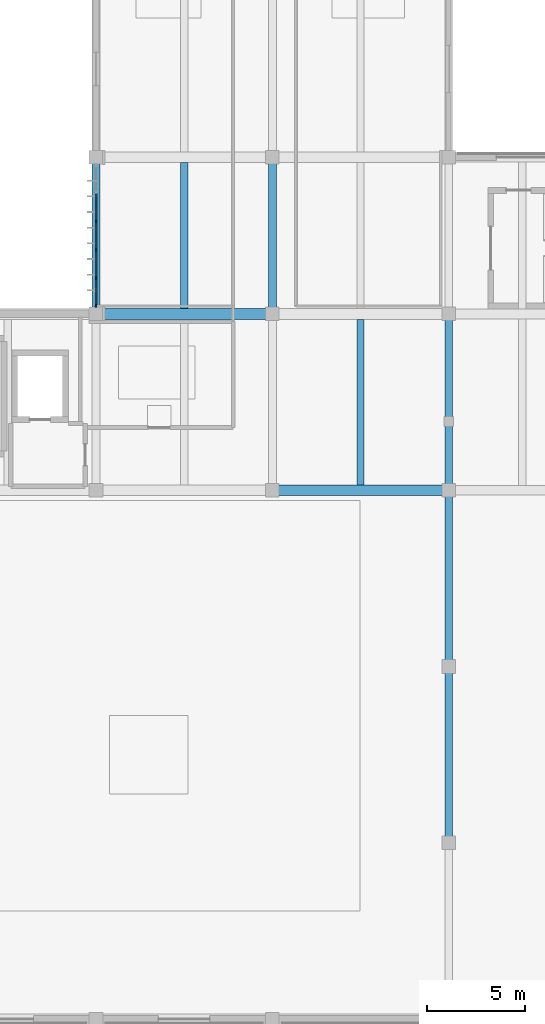
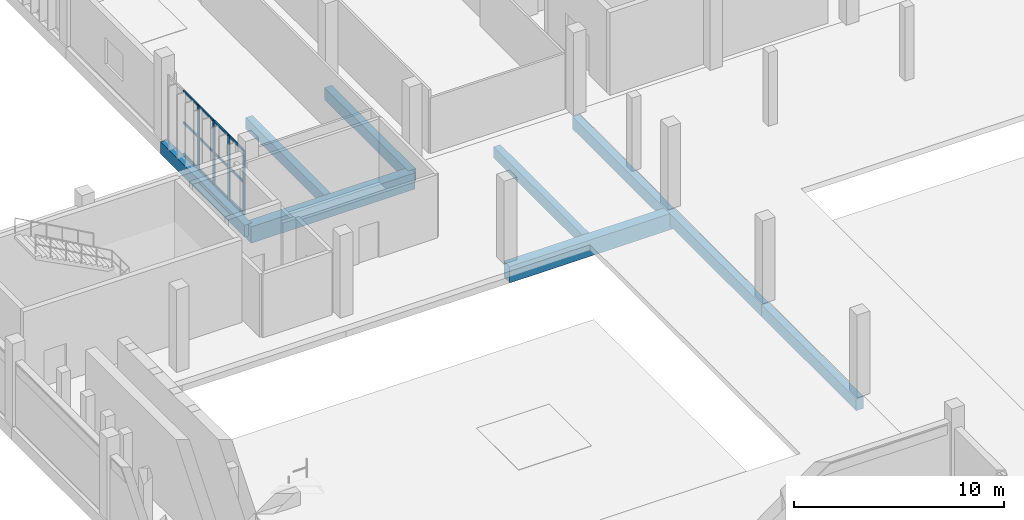
# One storey, part 7 of 72: 16 members, 9 beams, 1 element without a shape of its own.
"""IFC4 building model written with IfcOpenShell, lengths in metres."""

import ifcopenshell
import ifcopenshell.guid

model = None  # the IFC model being written
_history = None  # IfcOwnerHistory: only IFC2X3 demands one
_inside = {}  # id of a spatial element -> (the spatial element, [elements in it])
_under = {}  # id of a project, library or spatial element -> (it, [spatial elements below it])
_declared = {}  # id of a project -> (the project, [libraries it declares])
_typed = {}  # id of a type object -> (the type object, [elements of that type])
_made_of = {}  # id of a material, layer set ... -> (it, [elements and type objects made of it])


def new_model(schema):
    """Start an empty IFC model of exactly this schema.

    Asked for "IFC4X3", IfcOpenShell would pick the latest addendum, in which some entities
    have other attributes; the version numbers below select the first issue.
    IFC2X3 requires an IfcOwnerHistory on every rooted entity: one is made here for all.
    """
    global model, _history
    if schema == "IFC4X3":
        model = ifcopenshell.file(schema_version=(4, 3, 0, 0))
    else:
        model = ifcopenshell.file(schema=schema)
    _inside.clear()
    _under.clear()
    _declared.clear()
    _typed.clear()
    _made_of.clear()
    _history = None
    if model.schema == "IFC2X3":
        org = make("IfcOrganization", Name="unknown")
        user = make(
            "IfcPersonAndOrganization",
            ThePerson=make("IfcPerson", FamilyName="unknown"),
            TheOrganization=org,
        )
        app = make(
            "IfcApplication",
            ApplicationDeveloper=org,
            Version="unknown",
            ApplicationFullName="unknown",
            ApplicationIdentifier="unknown",
        )
        _history = make(
            "IfcOwnerHistory",
            OwningUser=user,
            OwningApplication=app,
            ChangeAction="ADDED",
            CreationDate=0,
        )
    return model


def make(cls, **values):
    """One entity of the class cls with the attributes given. An attribute that is None is left unset."""
    return model.create_entity(
        cls, **{name: value for name, value in values.items() if value is not None}
    )


def rooted(cls, **values):
    """An entity with a GlobalId (a new one), such as an element, a storey or a relation."""
    return make(cls, GlobalId=ifcopenshell.guid.new(), OwnerHistory=_history, **values)


def si_unit(unit_type, name, prefix=None):
    """IfcSIUnit, for example si_unit("LENGTHUNIT", "METRE", prefix="MILLI")."""
    return make("IfcSIUnit", UnitType=unit_type, Prefix=prefix, Name=name)


def assignment(units):
    """IfcUnitAssignment: the units of a project."""
    return None if units is None else make("IfcUnitAssignment", Units=units)


def point(xyz):
    """IfcCartesianPoint."""
    return None if xyz is None else make("IfcCartesianPoint", Coordinates=xyz)


def direction(xyz):
    """IfcDirection."""
    return None if xyz is None else make("IfcDirection", DirectionRatios=xyz)


def frame(location, z_axis=None, x_axis=None):
    """IfcAxis2Placement3D, a coordinate frame: its origin and axes. An axis left out is left unset."""
    return make(
        "IfcAxis2Placement3D",
        Location=point(location),
        Axis=direction(z_axis),
        RefDirection=direction(x_axis),
    )


def frame_2d(location, x_axis=None):
    """IfcAxis2Placement2D, a coordinate frame in the plane: its origin and x axis."""
    return make(
        "IfcAxis2Placement2D", Location=point(location), RefDirection=direction(x_axis)
    )


def origin():
    """The frame at (0, 0, 0) with its axes left unset."""
    return frame((0.0, 0.0, 0.0))


def origin_2d():
    """The frame at (0, 0) in the plane with its x axis left unset."""
    return frame_2d((0.0, 0.0))


def place(relative_to, where):
    """IfcLocalPlacement: puts the frame where relative to a parent placement (None: the world)."""
    return make(
        "IfcLocalPlacement", PlacementRelTo=relative_to, RelativePlacement=where
    )


def context(
    kind, dimensions, precision=None, world=None, true_north=None, identifier=None
):
    """IfcGeometricRepresentationContext, for example the 3D "Model" context."""
    return make(
        "IfcGeometricRepresentationContext",
        ContextIdentifier=identifier,
        ContextType=kind,
        CoordinateSpaceDimension=dimensions,
        Precision=precision,
        WorldCoordinateSystem=world,
        TrueNorth=true_north,
    )


def subcontext(parent, identifier, kind, view, scale=None):
    """IfcGeometricRepresentationSubContext, for example "Body" below "Model"."""
    return make(
        "IfcGeometricRepresentationSubContext",
        ContextIdentifier=identifier,
        ContextType=kind,
        ParentContext=parent,
        TargetScale=scale,
        TargetView=view,
    )


def project(units=None, contexts=None):
    """IfcProject with its units and contexts."""
    return rooted(
        "IfcProject",
        Name="project",
        RepresentationContexts=contexts,
        UnitsInContext=assignment(units),
    )


def spatial(cls, under=None, at=None, **own):
    """A site, building, storey or space (cls), placed at a placement, below another one or the project."""
    s = rooted(cls, ObjectPlacement=at, **own)
    if under is not None:
        _under.setdefault(under.id(), (under, []))[1].append(s)
    return s


def profile(cls, at=None, kind="AREA", **sizes):
    """A parametric profile (cls). Its sizes go by their IFC names, for example OverallWidth=200.0."""
    return make(cls, ProfileType=kind, Position=at, **sizes)


def rectangle(**sizes):
    """IfcRectangleProfileDef."""
    return profile("IfcRectangleProfileDef", **sizes)


def extrude(swept, where, along, depth):
    """IfcExtrudedAreaSolid: the profile swept, set in the frame where, extruded along a direction by depth."""
    return make(
        "IfcExtrudedAreaSolid",
        SweptArea=swept,
        Position=where,
        ExtrudedDirection=direction(along),
        Depth=depth,
    )


def shape(context_of_items, identifier, shape_type, items):
    """IfcShapeRepresentation: the items that make up one representation, for example the "Body"."""
    return make(
        "IfcShapeRepresentation",
        ContextOfItems=context_of_items,
        RepresentationIdentifier=identifier,
        RepresentationType=shape_type,
        Items=items,
    )


def material(Name=None, Category=None):
    """IfcMaterial."""
    return make("IfcMaterial", Name=Name, Category=Category)


def material_profile(
    of_material, cross_section, Name=None, Category=None, Priority=None
):
    """IfcMaterialProfile: a cross section and its material."""
    return make(
        "IfcMaterialProfile",
        Name=Name,
        Material=of_material,
        Profile=cross_section,
        Priority=Priority,
        Category=Category,
    )


def profile_set(profiles, Name=None, composite=None):
    """IfcMaterialProfileSet."""
    return make(
        "IfcMaterialProfileSet",
        Name=Name,
        MaterialProfiles=profiles,
        CompositeProfile=composite,
    )


def made_of(thing, what):
    """Note that an element or type object is made of a material, layer set ...; save() writes the relation."""
    if what is not None:
        _made_of.setdefault(what.id(), (what, []))[1].append(thing)
    return thing


def type_object(cls, material=None, **own):
    """A type object (cls), such as IfcWallType, which elements share."""
    return made_of(rooted(cls, **own), material)


def element(
    cls,
    number,
    at=None,
    inside=None,
    cuts=None,
    type_object=None,
    material=None,
    context=None,
    identifier="Body",
    shape_type=None,
    held_by="IfcProductDefinitionShape",
    body=None,
    shapes=None,
    **own,
):
    """One element of the class cls, such as IfcWall. Its Tag is "e" and its number.

    at: its placement. inside: the storey or other place that contains it. cuts: it is an
    opening in that element (IfcRelVoidsElement). A single representation is given by context,
    identifier, shape_type and body (its items); several are given by shapes. held_by: the class
    of the entity that holds the representations. save() writes the other relations.
    """
    e = rooted(cls, Tag="e%d" % number, ObjectPlacement=at, **own)
    if body is not None:
        shapes = [shape(context, identifier, shape_type, body)]
    if shapes is not None:
        e.Representation = make(held_by, Representations=shapes)
    if inside is not None:
        _inside.setdefault(inside.id(), (inside, []))[1].append(e)
    if cuts is not None:
        rooted(
            "IfcRelVoidsElement", RelatingBuildingElement=cuts, RelatedOpeningElement=e
        )
    if type_object is not None:
        _typed.setdefault(type_object.id(), (type_object, []))[1].append(e)
    return made_of(e, material)


def aggregate(whole, parts):
    """IfcRelAggregates: a whole, such as a stair, and the parts it consists of."""
    return rooted("IfcRelAggregates", RelatingObject=whole, RelatedObjects=parts)


def save(model, path):
    """Write the relations noted so far, then the file.

    IfcRelAggregates (storeys below a building ...), IfcRelContainedInSpatialStructure (elements
    in a storey), IfcRelDefinesByType, IfcRelAssociatesMaterial and IfcRelDeclares: one each for
    every whole, place, type object, material and project.
    """
    for whole, parts in _under.values():
        aggregate(whole, parts)
    for where, things in _inside.values():
        rooted(
            "IfcRelContainedInSpatialStructure",
            RelatedElements=things,
            RelatingStructure=where,
        )
    for kind, things in _typed.values():
        rooted("IfcRelDefinesByType", RelatedObjects=things, RelatingType=kind)
    for what, things in _made_of.values():
        rooted("IfcRelAssociatesMaterial", RelatedObjects=things, RelatingMaterial=what)
    for by, libraries in _declared.values():
        rooted("IfcRelDeclares", RelatingContext=by, RelatedDefinitions=libraries)
    model.write(path)


model = new_model("IFC4")

# Units and contexts
model_context = context("Model", 3, precision=1e-05, world=origin(), true_north=direction((0.0, 1.0)))
body_context = subcontext(model_context, "Body", "Model", "MODEL_VIEW")
ifc_project = project(units=[si_unit("LENGTHUNIT", "METRE"), si_unit("AREAUNIT", "SQUARE_METRE"), si_unit("VOLUMEUNIT", "CUBIC_METRE"), si_unit("PLANEANGLEUNIT", "RADIAN"), si_unit("MASSUNIT", "GRAM", prefix="KILO")], contexts=[model_context])

# Site, building, storey
site_placement = place(None, origin())
site = spatial("IfcSite", under=ifc_project, at=site_placement, CompositionType="ELEMENT")
building_placement = place(site_placement, origin())
building = spatial("IfcBuilding", under=site, at=building_placement, Name="Vourika Railside Aquatics Centre", CompositionType="ELEMENT")
storey_placement = place(building_placement, origin())
storey = spatial("IfcBuildingStorey", under=building, at=storey_placement, Name="L00", CompositionType="ELEMENT", Elevation=0.0)

# Beams
ifc_material_1 = material(Name="Concrete C35/45", Category="concrete")
ifc_material_profile_1 = material_profile(ifc_material_1, rectangle(XDim=0.39990234375, YDim=0.699951171875, at=origin_2d()), Name="RC 400x700")
ifc_profile_set_1 = profile_set([ifc_material_profile_1], Name="Concrete C35/45")
beam_type_1 = type_object("IfcBeamType", Name="BM-GIRD-400x700", PredefinedType="BEAM", material=ifc_profile_set_1)
for number, where, z_axis, x_axis, name in (
    (1, (18.0, 58.0, -0.669921875), (0.0, 1.0, 0.0), (-1.0, 0.0, 0.0), "Floor Girder GY-L00-193"),
    (2, (27.0, 58.0, -0.669921875), (0.0, 1.0, 0.0), (-1.0, 0.0, 0.0), "Floor Girder GY-L00-201"),
):
    element("IfcBeam", number, at=place(storey_placement, frame(where, z_axis=z_axis, x_axis=x_axis)), inside=storey, type_object=beam_type_1, Name=name, PredefinedType="BEAM", context=body_context, shape_type="SweptSolid", body=[
        extrude(rectangle(XDim=0.39990234375, YDim=0.699951171875, at=origin_2d()), origin(), (0.0, 0.0, 1.0), 8.0),
    ])
for number, where, z_axis, x_axis, name in (
    (3, (36.0, 31.0, -0.669921875), (0.0, 1.0, 0.0), (-1.0, 0.0, 0.0), "Floor Girder GY-L00-211"),
    (4, (36.0, 40.0, -0.669921875), (0.0, 1.0, 0.0), (-1.0, 0.0, 0.0), "Floor Girder GY-L00-212"),
    (5, (36.0, 49.0, -0.669921875), (0.0, 1.0, 0.0), (-1.0, 0.0, 0.0), "Floor Girder GY-L00-213"),
):
    element("IfcBeam", number, at=place(storey_placement, frame(where, z_axis=z_axis, x_axis=x_axis)), inside=storey, type_object=beam_type_1, Name=name, PredefinedType="BEAM", context=body_context, shape_type="SweptSolid", body=[
        extrude(rectangle(XDim=0.39990234375, YDim=0.699951171875, at=origin_2d()), origin(), (0.0, 0.0, 1.0), 9.0),
    ])
ifc_material_2 = material(Name="Concrete C40/50", Category="concrete")
ifc_material_profile_2 = material_profile(ifc_material_2, rectangle(XDim=0.550048828125, YDim=0.949951171875, at=origin_2d()), Name="RC 550x950")
ifc_profile_set_2 = profile_set([ifc_material_profile_2], Name="Concrete C40/50")
beam_type_2 = type_object("IfcBeamType", Name="BM-GIRD-550x950", PredefinedType="BEAM", material=ifc_profile_set_2)
for number, where, z_axis, x_axis, name in (
    (6, (27.0, 49.0, -0.794921875), (1.0, 0.0, 0.0), (0.0, 1.0, 0.0), "Floor Beam GX-L00-060"),
    (7, (18.0, 58.0, -0.794921875), (1.0, 0.0, 0.0), (0.0, 1.0, 0.0), "Floor Beam GX-L00-076"),
):
    element("IfcBeam", number, at=place(storey_placement, frame(where, z_axis=z_axis, x_axis=x_axis)), inside=storey, type_object=beam_type_2, Name=name, PredefinedType="BEAM", context=body_context, shape_type="SweptSolid", body=[
        extrude(rectangle(XDim=0.550048828125, YDim=0.949951171875, at=origin_2d()), origin(), (0.0, 0.0, 1.0), 9.0),
    ])
ifc_material_profile_3 = material_profile(ifc_material_1, rectangle(XDim=0.3798828125, YDim=0.64990234375, at=origin_2d()), Name="RC 380x650")
ifc_profile_set_3 = profile_set([ifc_material_profile_3], Name="Concrete C35/45")
beam_type_3 = type_object("IfcBeamType", Name="BM-SEC-380x650", PredefinedType="JOIST", material=ifc_profile_set_3)
beam_1_placement = place(storey_placement, frame((31.5, 49.27490234375, -0.64501953125), z_axis=(0.0, 1.0, 0.0), x_axis=(-1.0, 0.0, 0.0)))
element("IfcBeam", 8, at=beam_1_placement, inside=storey, type_object=beam_type_3, Name="Secondary Joist JY-L00-386", PredefinedType="JOIST", context=body_context, shape_type="SweptSolid", body=[
    extrude(rectangle(XDim=0.3798828125, YDim=0.64990234375, at=origin_2d()), origin(), (0.0, 0.0, 1.0), 8.4501953125),
])
beam_2_placement = place(storey_placement, frame((22.5, 58.27490234375, -0.64501953125), z_axis=(0.0, 1.0, 0.0), x_axis=(-1.0, 0.0, 0.0)))
element("IfcBeam", 9, at=beam_2_placement, inside=storey, type_object=beam_type_3, Name="Secondary Joist JY-L00-400", PredefinedType="JOIST", context=body_context, shape_type="SweptSolid", body=[
    extrude(rectangle(XDim=0.3798828125, YDim=0.64990234375, at=origin_2d()), origin(), (0.0, 0.0, 1.0), 7.4501953125),
])

# Curtain wall, members
ifc_material_3 = material(Name="Anodized thermally broken aluminium", Category="aluminium")
curtain_wall_type = type_object("IfcCurtainWallType", Name="CW-FIT0", PredefinedType="NOTDEFINED", material=ifc_material_3)
curtain_wall_placement = place(storey_placement, origin())
curtain_wall = element("IfcCurtainWall", 10, at=curtain_wall_placement, inside=storey, type_object=curtain_wall_type, Name="Fitness West Boulevard Curtain Wall L00-1", PredefinedType="NOTDEFINED")
ifc_material_4 = material(Name="Anodized aluminium mullion", Category="aluminium")
ifc_material_profile_4 = material_profile(ifc_material_4, rectangle(XDim=0.06494140625, YDim=0.1640625, at=origin_2d()), Name="ALU-M 65x164")
ifc_profile_set_4 = profile_set([ifc_material_profile_4], Name="Anodized aluminium mullion")
member_type_1 = type_object("IfcMemberType", Name="CWM-FIT0", PredefinedType="MULLION", material=ifc_profile_set_4)
member_1_placement = place(storey_placement, frame((18.0, 62.72412109375, 0.0), z_axis=(0.0, 0.0, 1.0), x_axis=(1.0, 0.0, 0.0)))
member_1 = element("IfcMember", 11, at=member_1_placement, type_object=member_type_1, Name="CW14 mullion 3", PredefinedType="MULLION", context=body_context, shape_type="SweptSolid", body=[
    extrude(rectangle(XDim=0.06494140625, YDim=0.1640625, at=origin_2d()), origin(), (0.0, 0.0, 1.0), 3.72998046875),
])
member_2_placement = place(storey_placement, frame((18.0, 61.27587890625, 0.0), z_axis=(0.0, 0.0, 1.0), x_axis=(1.0, 0.0, 0.0)))
member_2 = element("IfcMember", 12, at=member_2_placement, type_object=member_type_1, Name="CW14 mullion 4", PredefinedType="MULLION", context=body_context, shape_type="SweptSolid", body=[
    extrude(rectangle(XDim=0.06494140625, YDim=0.1640625, at=origin_2d()), origin(), (0.0, 0.0, 1.0), 3.72998046875),
])
member_3_placement = place(storey_placement, frame((18.0, 59.827880859375, 0.0), z_axis=(0.0, 0.0, 1.0), x_axis=(1.0, 0.0, 0.0)))
member_3 = element("IfcMember", 13, at=member_3_placement, type_object=member_type_1, Name="CW14 mullion 5", PredefinedType="MULLION", context=body_context, shape_type="SweptSolid", body=[
    extrude(rectangle(XDim=0.06494140625, YDim=0.1640625, at=origin_2d()), origin(), (0.0, 0.0, 1.0), 3.72998046875),
])
member_4_placement = place(storey_placement, frame((18.0, 58.41259765625, 0.0), z_axis=(0.0, 0.0, 1.0), x_axis=(1.0, 0.0, 0.0)))
member_4 = element("IfcMember", 14, at=member_4_placement, type_object=member_type_1, Name="CW14 mullion 6", PredefinedType="MULLION", context=body_context, shape_type="SweptSolid", body=[
    extrude(rectangle(XDim=0.06494140625, YDim=0.1640625, at=origin_2d()), origin(), (0.0, 0.0, 1.0), 3.72998046875),
])
ifc_material_5 = material(Name="Anodized aluminium transom", Category="aluminium")
ifc_material_profile_5 = material_profile(ifc_material_5, rectangle(XDim=0.06494140625, YDim=0.1279296875, at=origin_2d()), Name="ALU-T 65x128")
ifc_profile_set_5 = profile_set([ifc_material_profile_5], Name="Anodized aluminium transom")
member_type_2 = type_object("IfcMemberType", Name="CWT-FIT0", PredefinedType="USERDEFINED", material=ifc_profile_set_5)
member_5_placement = place(storey_placement, frame((18.0, 64.139404296875, 0.032470703125), z_axis=(0.0, -1.0, 0.0), x_axis=(1.0, 0.0, 0.0)))
member_5 = element("IfcMember", 15, at=member_5_placement, type_object=member_type_2, Name="CW14 transom 2.1", ObjectType="TRANSOM", PredefinedType="USERDEFINED", context=body_context, shape_type="SweptSolid", body=[
    extrude(rectangle(XDim=0.06494140625, YDim=0.1279296875, at=origin_2d()), origin(), (0.0, 0.0, 1.0), 1.3828125),
])
member_6_placement = place(storey_placement, frame((18.0, 64.139404296875, 1.864990234375), z_axis=(0.0, -1.0, 0.0), x_axis=(1.0, 0.0, 0.0)))
member_6 = element("IfcMember", 16, at=member_6_placement, type_object=member_type_2, Name="CW14 transom 2.2", ObjectType="TRANSOM", PredefinedType="USERDEFINED", context=body_context, shape_type="SweptSolid", body=[
    extrude(rectangle(XDim=0.06494140625, YDim=0.1279296875, at=origin_2d()), origin(), (0.0, 0.0, 1.0), 1.3828125),
])
member_7_placement = place(storey_placement, frame((18.0, 64.139404296875, 3.697509765625), z_axis=(0.0, -1.0, 0.0), x_axis=(1.0, 0.0, 0.0)))
member_7 = element("IfcMember", 17, at=member_7_placement, type_object=member_type_2, Name="CW14 transom 2.3", ObjectType="TRANSOM", PredefinedType="USERDEFINED", context=body_context, shape_type="SweptSolid", body=[
    extrude(rectangle(XDim=0.06494140625, YDim=0.1279296875, at=origin_2d()), origin(), (0.0, 0.0, 1.0), 1.3828125),
])
member_8_placement = place(storey_placement, frame((18.0, 62.69140625, 0.032470703125), z_axis=(0.0, -1.0, 0.0), x_axis=(1.0, 0.0, 0.0)))
member_8 = element("IfcMember", 18, at=member_8_placement, type_object=member_type_2, Name="CW14 transom 3.1", ObjectType="TRANSOM", PredefinedType="USERDEFINED", context=body_context, shape_type="SweptSolid", body=[
    extrude(rectangle(XDim=0.06494140625, YDim=0.1279296875, at=origin_2d()), origin(), (0.0, 0.0, 1.0), 1.3828125),
])
member_9_placement = place(storey_placement, frame((18.0, 62.69140625, 1.864990234375), z_axis=(0.0, -1.0, 0.0), x_axis=(1.0, 0.0, 0.0)))
member_9 = element("IfcMember", 19, at=member_9_placement, type_object=member_type_2, Name="CW14 transom 3.2", ObjectType="TRANSOM", PredefinedType="USERDEFINED", context=body_context, shape_type="SweptSolid", body=[
    extrude(rectangle(XDim=0.06494140625, YDim=0.1279296875, at=origin_2d()), origin(), (0.0, 0.0, 1.0), 1.3828125),
])
member_10_placement = place(storey_placement, frame((18.0, 62.69140625, 3.697509765625), z_axis=(0.0, -1.0, 0.0), x_axis=(1.0, 0.0, 0.0)))
member_10 = element("IfcMember", 20, at=member_10_placement, type_object=member_type_2, Name="CW14 transom 3.3", ObjectType="TRANSOM", PredefinedType="USERDEFINED", context=body_context, shape_type="SweptSolid", body=[
    extrude(rectangle(XDim=0.06494140625, YDim=0.1279296875, at=origin_2d()), origin(), (0.0, 0.0, 1.0), 1.3828125),
])
member_11_placement = place(storey_placement, frame((18.0, 61.243408203125, 0.032470703125), z_axis=(0.0, -1.0, 0.0), x_axis=(1.0, 0.0, 0.0)))
member_11 = element("IfcMember", 21, at=member_11_placement, type_object=member_type_2, Name="CW14 transom 4.1", ObjectType="TRANSOM", PredefinedType="USERDEFINED", context=body_context, shape_type="SweptSolid", body=[
    extrude(rectangle(XDim=0.06494140625, YDim=0.1279296875, at=origin_2d()), origin(), (0.0, 0.0, 1.0), 1.3828125),
])
member_12_placement = place(storey_placement, frame((18.0, 61.243408203125, 1.864990234375), z_axis=(0.0, -1.0, 0.0), x_axis=(1.0, 0.0, 0.0)))
member_12 = element("IfcMember", 22, at=member_12_placement, type_object=member_type_2, Name="CW14 transom 4.2", ObjectType="TRANSOM", PredefinedType="USERDEFINED", context=body_context, shape_type="SweptSolid", body=[
    extrude(rectangle(XDim=0.06494140625, YDim=0.1279296875, at=origin_2d()), origin(), (0.0, 0.0, 1.0), 1.3828125),
])
member_13_placement = place(storey_placement, frame((18.0, 61.243408203125, 3.697509765625), z_axis=(0.0, -1.0, 0.0), x_axis=(1.0, 0.0, 0.0)))
member_13 = element("IfcMember", 23, at=member_13_placement, type_object=member_type_2, Name="CW14 transom 4.3", ObjectType="TRANSOM", PredefinedType="USERDEFINED", context=body_context, shape_type="SweptSolid", body=[
    extrude(rectangle(XDim=0.06494140625, YDim=0.1279296875, at=origin_2d()), origin(), (0.0, 0.0, 1.0), 1.3828125),
])
member_14_placement = place(storey_placement, frame((18.0, 59.79541015625, 0.032470703125), z_axis=(0.0, -1.0, 0.0), x_axis=(1.0, 0.0, 0.0)))
member_14 = element("IfcMember", 24, at=member_14_placement, type_object=member_type_2, Name="CW14 transom 5.1", ObjectType="TRANSOM", PredefinedType="USERDEFINED", context=body_context, shape_type="SweptSolid", body=[
    extrude(rectangle(XDim=0.06494140625, YDim=0.1279296875, at=origin_2d()), origin(), (0.0, 0.0, 1.0), 1.350341796875),
])
member_15_placement = place(storey_placement, frame((18.0, 59.79541015625, 1.864990234375), z_axis=(0.0, -1.0, 0.0), x_axis=(1.0, 0.0, 0.0)))
member_15 = element("IfcMember", 25, at=member_15_placement, type_object=member_type_2, Name="CW14 transom 5.2", ObjectType="TRANSOM", PredefinedType="USERDEFINED", context=body_context, shape_type="SweptSolid", body=[
    extrude(rectangle(XDim=0.06494140625, YDim=0.1279296875, at=origin_2d()), origin(), (0.0, 0.0, 1.0), 1.350341796875),
])
member_16_placement = place(storey_placement, frame((18.0, 59.79541015625, 3.697509765625), z_axis=(0.0, -1.0, 0.0), x_axis=(1.0, 0.0, 0.0)))
member_16 = element("IfcMember", 26, at=member_16_placement, type_object=member_type_2, Name="CW14 transom 5.3", ObjectType="TRANSOM", PredefinedType="USERDEFINED", context=body_context, shape_type="SweptSolid", body=[
    extrude(rectangle(XDim=0.06494140625, YDim=0.1279296875, at=origin_2d()), origin(), (0.0, 0.0, 1.0), 1.350341796875),
])
aggregate(curtain_wall, [member_1, member_2, member_3, member_4, member_5, member_6, member_7, member_8, member_9, member_10, member_11, member_12, member_13, member_14, member_15, member_16])

save(model, "model.ifc")
